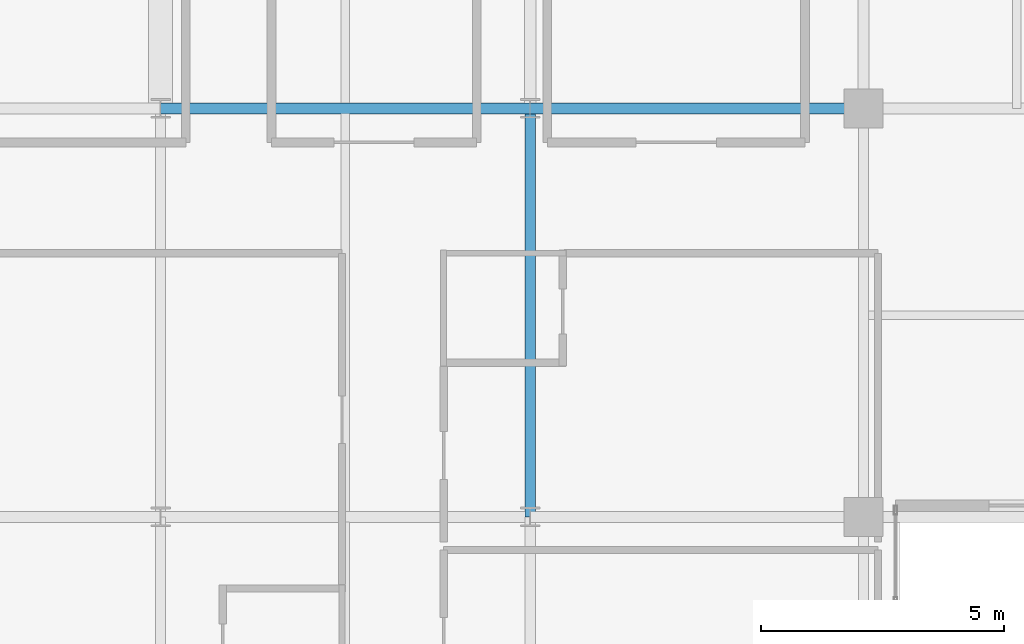
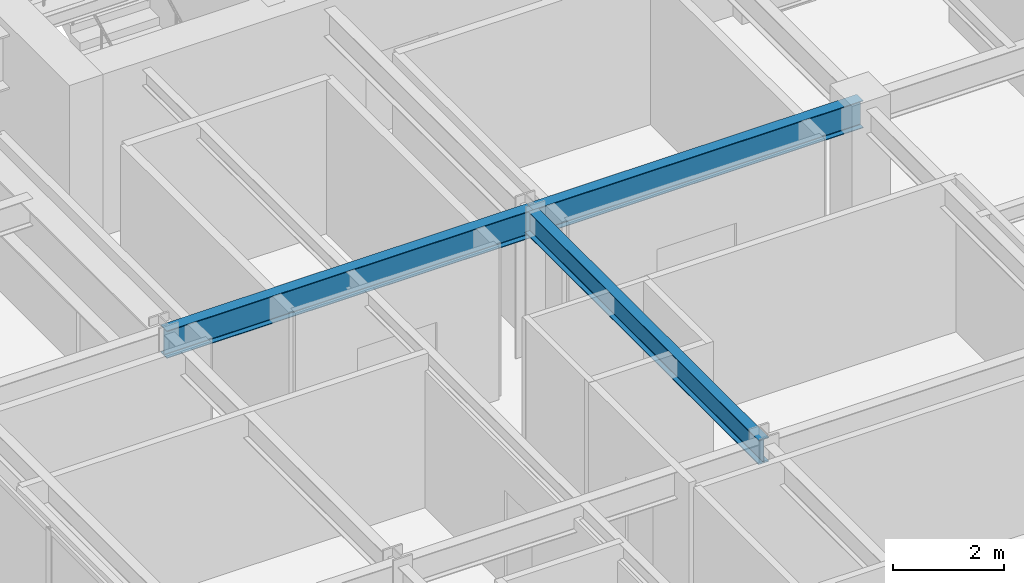
# One storey, part 10 of 24: 3 beams.
"""IFC4 building model written with IfcOpenShell, lengths in metres."""

from ifc_helpers import new_model, si_unit, direction, frame, origin, origin_2d, place, context, subcontext, project, spatial, i_section, extrude, source, transform, mapped, material, material_profile, profile_set, type_object, type_shapes, element, save


model = new_model("IFC4")

# Units and contexts
model_context = context("Model", 3, precision=1e-05, world=origin(), true_north=direction((0.0, 1.0)))
body_context = subcontext(model_context, "Body", "Model", "MODEL_VIEW")
ifc_project = project(units=[si_unit("LENGTHUNIT", "METRE"), si_unit("AREAUNIT", "SQUARE_METRE"), si_unit("VOLUMEUNIT", "CUBIC_METRE"), si_unit("PLANEANGLEUNIT", "RADIAN"), si_unit("MASSUNIT", "GRAM", prefix="KILO")], contexts=[model_context])

# Site, building, storey
site_placement = place(None, origin())
site = spatial("IfcSite", under=ifc_project, at=site_placement, CompositionType="ELEMENT")
building_placement = place(site_placement, origin())
building = spatial("IfcBuilding", under=site, at=building_placement, Name="Tolvann Quenvar Hotel", CompositionType="ELEMENT")
storey_placement = place(building_placement, frame((0.0, 0.0, 194.64990234375)))
storey = spatial("IfcBuildingStorey", under=building, at=storey_placement, Name="L51", CompositionType="ELEMENT", Elevation=194.64990234375)

# Beams
ifc_material = material(Name="Steel Grade 350", Category="steel")
ifc_material_profile_1 = material_profile(ifc_material, i_section(OverallWidth=0.208984375, OverallDepth=0.532958984375, WebThickness=0.01025390625, FlangeThickness=0.015625, FilletRadius=0.013916015625, at=origin_2d()), Name="530UB92")
ifc_profile_set_1 = profile_set([ifc_material_profile_1], Name="Steel Grade 350")
beam_type_1 = type_object("IfcBeamType", Name="BM_GIRD_530UB92", PredefinedType="BEAM", material=ifc_profile_set_1)
shared_shape_1 = source(origin(), body_context, "Body", "SweptSolid", [
    extrude(i_section(OverallWidth=0.208984375, OverallDepth=0.532958984375, WebThickness=0.01025390625, FlangeThickness=0.015625, FilletRadius=0.013916015625, at=origin_2d()), origin(), (0.0, 0.0, 1.0), 8.39990234375),
])
type_shapes(beam_type_1, [shared_shape_1])
beam_1_placement = place(storey_placement, frame((15.199951171875, 16.0, 3.103515625), z_axis=(0.0, 1.0, 0.0), x_axis=(-1.0, 0.0, 0.0)))
element("IfcBeam", 1, at=beam_1_placement, inside=storey, type_object=beam_type_1, Name="BM-L51-NS-D4-D5", PredefinedType="BEAM", context=body_context, shape_type="MappedRepresentation", body=[
    mapped(shared_shape_1, transform((0.0, 0.0, 0.0), x_axis=(1.0, 0.0, 0.0), y_axis=(0.0, 1.0, 0.0), z_axis=(0.0, 0.0, 1.0), scale=1.0)),
])
ifc_material_profile_2 = material_profile(ifc_material, i_section(OverallWidth=0.22802734375, OverallDepth=0.60205078125, WebThickness=0.010498046875, FlangeThickness=0.014892578125, FilletRadius=0.013916015625, at=origin_2d()), Name="610UB101")
ifc_profile_set_2 = profile_set([ifc_material_profile_2], Name="Steel Grade 350")
beam_type_2 = type_object("IfcBeamType", Name="BM_GIRD_610UB101", PredefinedType="BEAM", material=ifc_profile_set_2)
shared_shape_2 = source(origin(), body_context, "Body", "SweptSolid", [
    extrude(i_section(OverallWidth=0.22802734375, OverallDepth=0.60205078125, WebThickness=0.010498046875, FlangeThickness=0.014892578125, FilletRadius=0.013916015625, at=origin_2d()), origin(), (0.0, 0.0, 1.0), 7.599853515625),
])
beam_2_placement = place(storey_placement, frame((7.60009765625, 24.39990234375, 3.069091796875), z_axis=(1.0, 0.0, 0.0), x_axis=(0.0, 1.0, 0.0)))
element("IfcBeam", 2, at=beam_2_placement, inside=storey, type_object=beam_type_2, Name="BM-L51-EW-5-C5-D5", PredefinedType="BEAM", context=body_context, shape_type="MappedRepresentation", body=[
    mapped(shared_shape_2, transform((0.0, 0.0, 0.0), x_axis=(1.0, 0.0, 0.0), y_axis=(0.0, 1.0, 0.0), z_axis=(0.0, 0.0, 1.0), scale=1.0)),
])
shared_shape_3 = source(origin(), body_context, "Body", "SweptSolid", [
    extrude(i_section(OverallWidth=0.22802734375, OverallDepth=0.60205078125, WebThickness=0.010498046875, FlangeThickness=0.014892578125, FilletRadius=0.013916015625, at=origin_2d()), origin(), (0.0, 0.0, 1.0), 6.85009765625),
])
type_shapes(beam_type_2, [shared_shape_2, shared_shape_3])
beam_3_placement = place(storey_placement, frame((15.199951171875, 24.39990234375, 3.069091796875), z_axis=(1.0, 0.0, 0.0), x_axis=(0.0, 1.0, 0.0)))
element("IfcBeam", 3, at=beam_3_placement, inside=storey, type_object=beam_type_2, Name="BM-L51-EW-5-D5-E5", PredefinedType="BEAM", context=body_context, shape_type="MappedRepresentation", body=[
    mapped(shared_shape_3, transform((0.0, 0.0, 0.0), x_axis=(1.0, 0.0, 0.0), y_axis=(0.0, 1.0, 0.0), z_axis=(0.0, 0.0, 1.0), scale=1.0)),
])

save(model, "model.ifc")
